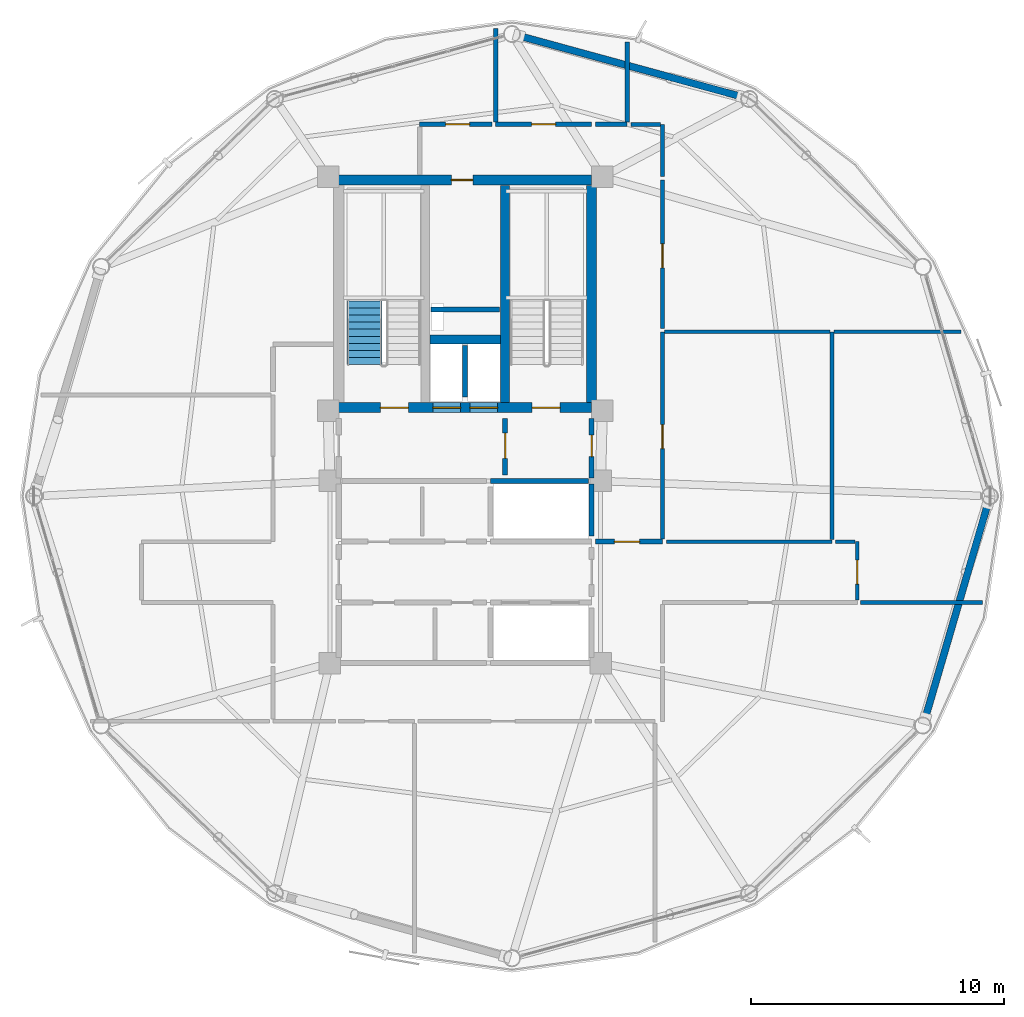
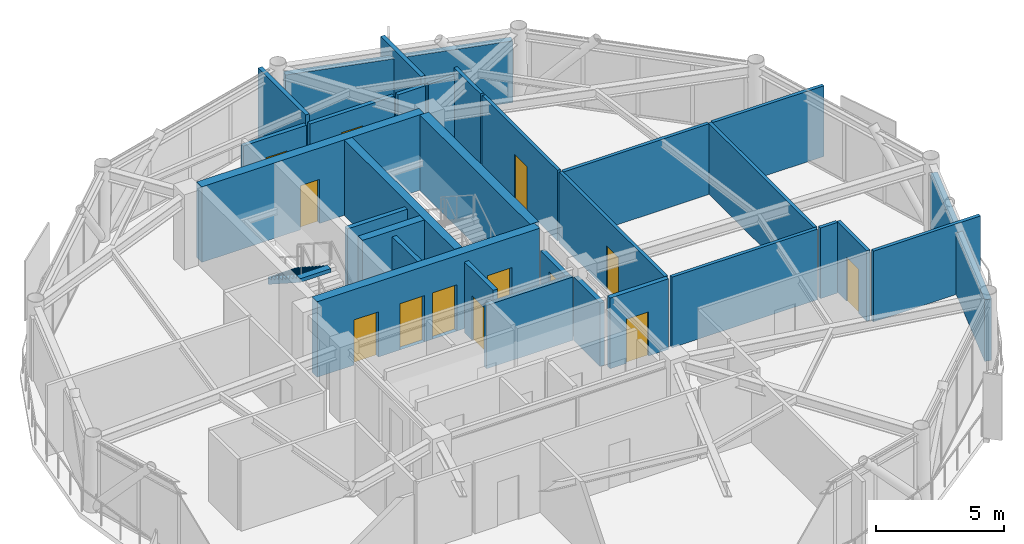
# One storey, part 24 of 28: 30 walls, 13 doors, 1 stair flight, 13 openings, 1 element without a shape of its own.
"""IFC4 building model written with IfcOpenShell, lengths in metres."""

from ifc_helpers import new_model, si_unit, direction, frame, frame_2d, origin, place, context, subcontext, project, spatial, polyline, rectangle, outline, extrude, material, layer, layer_set, type_object, element, fill, aggregate, save


model = new_model("IFC4")

# Units and contexts
model_context = context("Model", 3, precision=1e-05, world=origin(), true_north=direction((0.0, 1.0)))
body_context = subcontext(model_context, "Body", "Model", "MODEL_VIEW")
ifc_project = project(units=[si_unit("LENGTHUNIT", "METRE"), si_unit("AREAUNIT", "SQUARE_METRE"), si_unit("VOLUMEUNIT", "CUBIC_METRE"), si_unit("PLANEANGLEUNIT", "RADIAN"), si_unit("MASSUNIT", "GRAM", prefix="KILO")], contexts=[model_context])

# Site, building, storey
site_placement = place(None, origin())
site = spatial("IfcSite", under=ifc_project, at=site_placement, CompositionType="ELEMENT")
building_placement = place(site_placement, origin())
building = spatial("IfcBuilding", under=site, at=building_placement, Name="Varnakorn Sky Granary", CompositionType="ELEMENT")
storey_placement = place(building_placement, frame((0.0, 0.0, 225.60009765625)))
storey = spatial("IfcBuildingStorey", under=building, at=storey_placement, Name="L57", CompositionType="ELEMENT", Elevation=225.60009765625)

# Walls
ifc_material_1 = material(Name="Concrete C50/60", Category="concrete")
ifc_layer_1 = layer(ifc_material_1, 0.35009765625, Name="Concrete C50/60")
ifc_layer_set_1 = layer_set([ifc_layer_1], Name="Concrete C50/60")
wall_type_1 = type_object("IfcWallType", Name="WT-CW-INT-350", PredefinedType="SHEAR", material=ifc_layer_set_1)
wall_1_placement = place(storey_placement, frame((4.580078125, 3.7099609375, 0.0), z_axis=(0.0, 0.0, 1.0), x_axis=(0.0, 1.0, 0.0)))
element("IfcWall", 1, at=wall_1_placement, inside=storey, type_object=wall_type_1, Name="Stair ST-2 Core Wall L57", PredefinedType="SHEAR", context=body_context, shape_type="SweptSolid", body=[
    extrude(rectangle(XDim=8.580078125, YDim=0.35009765625, at=frame_2d((4.2900390625, 0.0))), origin(), (0.0, 0.0, 1.0), 3.591796875),
])
wall_2_placement = place(storey_placement, frame((1.610107421875, 6.199951171875, 0.0), z_axis=(0.0, 0.0, 1.0), x_axis=(1.0, 0.0, 0.0)))
element("IfcWall", 2, at=wall_2_placement, inside=storey, type_object=wall_type_1, Name="Core Lift Shaft Cross Wall L57", PredefinedType="SHEAR", context=body_context, shape_type="SweptSolid", body=[
    extrude(rectangle(XDim=2.77978515625, YDim=0.35009765625, at=frame_2d((1.389892578125, 0.0))), origin(), (0.0, 0.0, 1.0), 3.591796875),
])

# Wall, openings, doors
ifc_layer_2 = layer(ifc_material_1, 0.39990234375, Name="Concrete C50/60")
ifc_layer_set_2 = layer_set([ifc_layer_2], Name="Concrete C50/60")
wall_type_2 = type_object("IfcWallType", Name="WT-CW-SHEAR-400", PredefinedType="SHEAR", material=ifc_layer_set_2)
wall_3_placement = place(storey_placement, frame((-2.0, 3.5, 0.0), z_axis=(0.0, 0.0, 1.0), x_axis=(1.0, 0.0, 0.0)))
wall_3 = element("IfcWall", 3, at=wall_3_placement, inside=storey, type_object=wall_type_2, Name="Core South Shear Wall L57", PredefinedType="SHEAR", context=body_context, shape_type="SweptSolid", body=[
    extrude(rectangle(XDim=10.0, YDim=0.39990234375, at=frame_2d((5.0, 0.0))), origin(), (0.0, 0.0, 1.0), 3.591796875),
])
opening_1_placement = place(wall_3_placement, frame((1.64990234375, 0.0, 0.0)))
opening_1 = element("IfcOpeningElement", 4, at=opening_1_placement, cuts=wall_3, Name="Opening FD-90", PredefinedType="OPENING", context=body_context, shape_type="SweptSolid", body=[
    extrude(rectangle(XDim=1.10009765625, YDim=2.14990234375, at=frame_2d((0.550048828125, 1.074951171875))), frame((0.0, 0.2099609375, 0.0), z_axis=(0.0, -1.0, 0.0), x_axis=(1.0, 0.0, 0.0)), (0.0, 0.0, 1.0), 0.419921875),
])
opening_2_placement = place(wall_3_placement, frame((7.64990234375, 0.0, 0.0)))
opening_2 = element("IfcOpeningElement", 5, at=opening_2_placement, cuts=wall_3, Name="Opening FD-90", PredefinedType="OPENING", context=body_context, shape_type="SweptSolid", body=[
    extrude(rectangle(XDim=1.10009765625, YDim=2.14990234375, at=frame_2d((0.550048828125, 1.074951171875))), frame((0.0, 0.2099609375, 0.0), z_axis=(0.0, -1.0, 0.0), x_axis=(1.0, 0.0, 0.0)), (0.0, 0.0, 1.0), 0.419921875),
])
opening_3_placement = place(wall_3_placement, frame((3.719970703125, 0.0, 0.0)))
opening_3 = element("IfcOpeningElement", 6, at=opening_3_placement, cuts=wall_3, Name="Opening LD-01", PredefinedType="OPENING", context=body_context, shape_type="SweptSolid", body=[
    extrude(rectangle(XDim=1.10009765625, YDim=2.199951171875, at=frame_2d((0.550048828125, 1.10009765625))), frame((0.0, 0.2099609375, 0.0), z_axis=(0.0, -1.0, 0.0), x_axis=(1.0, 0.0, 0.0)), (0.0, 0.0, 1.0), 0.419921875),
])
opening_4_placement = place(wall_3_placement, frame((5.179931640625, 0.0, 0.0)))
opening_4 = element("IfcOpeningElement", 7, at=opening_4_placement, cuts=wall_3, Name="Opening LD-01", PredefinedType="OPENING", context=body_context, shape_type="SweptSolid", body=[
    extrude(rectangle(XDim=1.10009765625, YDim=2.199951171875, at=frame_2d((0.550048828125, 1.10009765625))), frame((0.0, 0.2099609375, 0.0), z_axis=(0.0, -1.0, 0.0), x_axis=(1.0, 0.0, 0.0)), (0.0, 0.0, 1.0), 0.419921875),
])
ifc_material_2 = material(Name="Brushed Bronze Stainless Steel", Category="steel")
door_type_1 = type_object("IfcDoorType", Name="DR-LD-1100", OperationType="DOUBLE_DOOR_SLIDING", PredefinedType="DOOR", material=ifc_material_2)
door_1_placement = place(opening_3_placement, origin())
door_1 = element("IfcDoor", 8, at=door_1_placement, inside=storey, type_object=door_type_1, Name="Firefighting Lift FFL-1 Landing Door L57", OperationType="DOUBLE_DOOR_SLIDING", OverallHeight=2.199951171875, OverallWidth=1.10009765625, PredefinedType="DOOR", context=body_context, shape_type="SweptSolid", body=[
    extrude(rectangle(XDim=1.10009765625, YDim=2.199951171875, at=frame_2d((0.550048828125, 1.10009765625))), frame((0.0, 0.02490234375, 0.0), z_axis=(0.0, -1.0, 0.0), x_axis=(1.0, 0.0, 0.0)), (0.0, 0.0, 1.0), 0.050048828125),
])
fill(opening_3, door_1)
door_2_placement = place(opening_4_placement, origin())
door_2 = element("IfcDoor", 9, at=door_2_placement, inside=storey, type_object=door_type_1, Name="Firefighting Lift FFL-2 Landing Door L57", OperationType="DOUBLE_DOOR_SLIDING", OverallHeight=2.199951171875, OverallWidth=1.10009765625, PredefinedType="DOOR", context=body_context, shape_type="SweptSolid", body=[
    extrude(rectangle(XDim=1.10009765625, YDim=2.199951171875, at=frame_2d((0.550048828125, 1.10009765625))), frame((0.0, 0.02490234375, 0.0), z_axis=(0.0, -1.0, 0.0), x_axis=(1.0, 0.0, 0.0)), (0.0, 0.0, 1.0), 0.050048828125),
])
fill(opening_4, door_2)
ifc_material_3 = material(Name="Galvanised Painted Steel Leaf", Category="steel")
door_type_2 = type_object("IfcDoorType", Name="DR-STAIR-1100", OperationType="NOTDEFINED", PredefinedType="DOOR", material=ifc_material_3)
door_3_placement = place(opening_1_placement, origin())
door_3 = element("IfcDoor", 10, at=door_3_placement, inside=storey, type_object=door_type_2, Name="Stair ST-1 Protected Fire Door L57", OperationType="SINGLE_SWING_LEFT", OverallHeight=2.14990234375, OverallWidth=1.10009765625, PredefinedType="DOOR", context=body_context, shape_type="SweptSolid", body=[
    extrude(rectangle(XDim=1.10009765625, YDim=2.14990234375, at=frame_2d((0.550048828125, 1.074951171875))), frame((0.0, 0.02490234375, 0.0), z_axis=(0.0, -1.0, 0.0), x_axis=(1.0, 0.0, 0.0)), (0.0, 0.0, 1.0), 0.050048828125),
])
fill(opening_1, door_3)
door_4_placement = place(opening_2_placement, origin())
door_4 = element("IfcDoor", 11, at=door_4_placement, inside=storey, type_object=door_type_2, Name="Stair ST-2 Protected Fire Door L57", OperationType="SINGLE_SWING_RIGHT", OverallHeight=2.14990234375, OverallWidth=1.10009765625, PredefinedType="DOOR", context=body_context, shape_type="SweptSolid", body=[
    extrude(rectangle(XDim=1.10009765625, YDim=2.14990234375, at=frame_2d((0.550048828125, 1.074951171875))), frame((0.0, 0.02490234375, 0.0), z_axis=(0.0, -1.0, 0.0), x_axis=(1.0, 0.0, 0.0)), (0.0, 0.0, 1.0), 0.050048828125),
])
fill(opening_2, door_4)

# Wall, opening, door
wall_4_placement = place(storey_placement, frame((-2.0, 12.5, 0.0), z_axis=(0.0, 0.0, 1.0), x_axis=(1.0, 0.0, 0.0)))
wall_4 = element("IfcWall", 12, at=wall_4_placement, inside=storey, type_object=wall_type_2, Name="Core North Shear Wall L57", PredefinedType="SHEAR", context=body_context, shape_type="SweptSolid", body=[
    extrude(rectangle(XDim=10.0, YDim=0.39990234375, at=frame_2d((5.0, 0.0))), origin(), (0.0, 0.0, 1.0), 3.591796875),
])
opening_5_placement = place(wall_4_placement, frame((4.449951171875, 0.0, 0.0)))
opening_5 = element("IfcOpeningElement", 13, at=opening_5_placement, cuts=wall_4, Name="Opening FD-60N", PredefinedType="OPENING", context=body_context, shape_type="SweptSolid", body=[
    extrude(rectangle(XDim=0.85009765625, YDim=2.10009765625, at=frame_2d((0.425048828125, 1.050048828125))), frame((0.0, 0.2099609375, 0.0), z_axis=(0.0, -1.0, 0.0), x_axis=(1.0, 0.0, 0.0)), (0.0, 0.0, 1.0), 0.419921875),
])
ifc_material_4 = material(Name="Acoustic Timber Fire Leaf", Category="wood")
door_type_3 = type_object("IfcDoorType", Name="DR-FD60-850", OperationType="NOTDEFINED", PredefinedType="DOOR", material=ifc_material_4)
door_5_placement = place(opening_5_placement, origin())
door_5 = element("IfcDoor", 14, at=door_5_placement, inside=storey, type_object=door_type_3, Name="Core North Service Door L57", OperationType="SINGLE_SWING_LEFT", OverallHeight=2.10009765625, OverallWidth=0.85009765625, PredefinedType="DOOR", context=body_context, shape_type="SweptSolid", body=[
    extrude(rectangle(XDim=0.85009765625, YDim=2.10009765625, at=frame_2d((0.425048828125, 1.050048828125))), frame((0.0, 0.02490234375, 0.0), z_axis=(0.0, -1.0, 0.0), x_axis=(1.0, 0.0, 0.0)), (0.0, 0.0, 1.0), 0.050048828125),
])
fill(opening_5, door_5)

# Walls
wall_5_placement = place(storey_placement, frame((8.0, 3.7099609375, 0.0), z_axis=(0.0, 0.0, 1.0), x_axis=(0.0, 1.0, 0.0)))
element("IfcWall", 15, at=wall_5_placement, inside=storey, type_object=wall_type_2, Name="Core East Shear Wall L57", PredefinedType="SHEAR", context=body_context, shape_type="SweptSolid", body=[
    extrude(rectangle(XDim=8.580078125, YDim=0.39990234375, at=frame_2d((4.2900390625, 0.0))), origin(), (0.0, 0.0, 1.0), 3.591796875),
])
ifc_material_5 = material(Name="Precast concrete C40/50", Category="concrete")
ifc_layer_3 = layer(ifc_material_5, 0.280029296875, Name="Precast concrete C40/50")
ifc_layer_set_3 = layer_set([ifc_layer_3], Name="Precast concrete C40/50")
wall_type_3 = type_object("IfcWallType", Name="WT-EW-CRN-280", PredefinedType="SOLIDWALL", material=ifc_layer_set_3)
wall_6_placement = place(storey_placement, frame((5.125, 18.20068359375, 0.0), z_axis=(0.0, 0.0, 1.0), x_axis=(0.96460676677, -0.263692596598, 0.0)))
element("IfcWall", 16, at=wall_6_placement, inside=storey, type_object=wall_type_3, Name="Agritech Insulated Precast Facade Wall L57-P03", PredefinedType="SOLIDWALL", context=body_context, shape_type="SweptSolid", body=[
    extrude(rectangle(XDim=9.15771484375, YDim=0.280029296875, at=frame_2d((4.578857421875, 0.0))), origin(), (0.0, 0.0, 1.0), 2.929931640625),
])
wall_7_placement = place(storey_placement, frame((23.672119140625, -0.273681640625, 0.0), z_axis=(0.0, 0.0, 1.0), x_axis=(-0.280370573109, -0.95989183856, 0.0)))
element("IfcWall", 17, at=wall_7_placement, inside=storey, type_object=wall_type_3, Name="Agritech Insulated Precast Facade Wall L57-P12", PredefinedType="SOLIDWALL", context=body_context, shape_type="SweptSolid", body=[
    extrude(rectangle(XDim=8.87939453125, YDim=0.280029296875, at=frame_2d((4.439697265625, 0.0))), origin(), (0.0, 0.0, 1.0), 2.929931640625),
])

# Wall, opening, door
ifc_material_6 = material(Name="Autoclaved Aerated Concrete Blockwork", Category="masonry")
ifc_layer_4 = layer(ifc_material_6, 0.199951171875, Name="Autoclaved Aerated Concrete Blockwork")
ifc_layer_set_4 = layer_set([ifc_layer_4], Name="Autoclaved Aerated Concrete Blockwork")
wall_type_4 = type_object("IfcWallType", Name="WT-FIRE-200", PredefinedType="MOVABLE", material=ifc_layer_set_4)
wall_8_placement = place(storey_placement, frame((4.580078125, 0.830078125, 0.0), z_axis=(0.0, 0.0, 1.0), x_axis=(0.0, 1.0, 0.0)))
wall_8 = element("IfcWall", 18, at=wall_8_placement, inside=storey, type_object=wall_type_4, Name="Interior Partition Wall L57-011", PredefinedType="MOVABLE", context=body_context, shape_type="SweptSolid", body=[
    extrude(rectangle(XDim=2.239990234375, YDim=0.199951171875, at=frame_2d((1.1201171875, 0.0))), origin(), (0.0, 0.0, 1.0), 3.35986328125),
])
opening_6_placement = place(wall_8_placement, frame((0.659912109375, 0.0, 0.0)))
opening_6 = element("IfcOpeningElement", 19, at=opening_6_placement, cuts=wall_8, Name="Opening FD-60", PredefinedType="OPENING", context=body_context, shape_type="SweptSolid", body=[
    extrude(rectangle(XDim=1.0, YDim=2.10009765625, at=frame_2d((0.5, 1.050048828125))), frame((0.0, 0.10986328125, 0.0), z_axis=(0.0, -1.0, 0.0), x_axis=(1.0, 0.0, 0.0)), (0.0, 0.0, 1.0), 0.219970703125),
])
door_type_4 = type_object("IfcDoorType", Name="DR-FD60-1000", OperationType="NOTDEFINED", PredefinedType="DOOR", material=ifc_material_4)
door_6_placement = place(opening_6_placement, origin())
door_6 = element("IfcDoor", 20, at=door_6_placement, inside=storey, type_object=door_type_4, Name="Interior Door L57-011-1", OperationType="SINGLE_SWING_RIGHT", OverallHeight=2.10009765625, OverallWidth=1.0, PredefinedType="DOOR", context=body_context, shape_type="SweptSolid", body=[
    extrude(rectangle(XDim=1.0, YDim=2.10009765625, at=frame_2d((0.5, 1.050048828125))), frame((0.0, 0.02490234375, 0.0), z_axis=(0.0, -1.0, 0.0), x_axis=(1.0, 0.0, 0.0)), (0.0, 0.0, 1.0), 0.050048828125),
])
fill(opening_6, door_6)

wall_9_placement = place(storey_placement, frame((8.0, 0.719970703125, 0.0), z_axis=(0.0, 0.0, 1.0), x_axis=(0.0, 1.0, 0.0)))
wall_9 = element("IfcWall", 21, at=wall_9_placement, inside=storey, type_object=wall_type_4, Name="Interior Partition Wall L57-013", PredefinedType="MOVABLE", context=body_context, shape_type="SweptSolid", body=[
    extrude(rectangle(XDim=2.35009765625, YDim=0.199951171875, at=frame_2d((1.175048828125, 0.0))), origin(), (0.0, 0.0, 1.0), 2.69189453125),
])
opening_7_placement = place(wall_9_placement, frame((0.844970703125, 0.0, 0.0)))
opening_7 = element("IfcOpeningElement", 22, at=opening_7_placement, cuts=wall_9, Name="Opening FD-60N", PredefinedType="OPENING", context=body_context, shape_type="SweptSolid", body=[
    extrude(rectangle(XDim=0.85009765625, YDim=2.10009765625, at=frame_2d((0.425048828125, 1.050048828125))), frame((0.0, 0.10986328125, 0.0), z_axis=(0.0, -1.0, 0.0), x_axis=(1.0, 0.0, 0.0)), (0.0, 0.0, 1.0), 0.219970703125),
])
door_7_placement = place(opening_7_placement, origin())
door_7 = element("IfcDoor", 23, at=door_7_placement, inside=storey, type_object=door_type_3, Name="Interior Door L57-013-1", OperationType="SINGLE_SWING_RIGHT", OverallHeight=2.10009765625, OverallWidth=0.85009765625, PredefinedType="DOOR", context=body_context, shape_type="SweptSolid", body=[
    extrude(rectangle(XDim=0.85009765625, YDim=2.10009765625, at=frame_2d((0.425048828125, 1.050048828125))), frame((0.0, 0.02490234375, 0.0), z_axis=(0.0, -1.0, 0.0), x_axis=(1.0, 0.0, 0.0)), (0.0, 0.0, 1.0), 0.050048828125),
])
fill(opening_7, door_7)

wall_10_placement = place(storey_placement, frame((8.159912109375, -1.800048828125, 0.0), z_axis=(0.0, 0.0, 1.0), x_axis=(1.0, 0.0, 0.0)))
wall_10 = element("IfcWall", 24, at=wall_10_placement, inside=storey, type_object=wall_type_4, Name="Interior Partition Wall L57-018", PredefinedType="MOVABLE", context=body_context, shape_type="SweptSolid", body=[
    extrude(rectangle(XDim=2.64013671875, YDim=0.199951171875, at=frame_2d((1.320068359375, 0.0))), origin(), (0.0, 0.0, 1.0), 3.35986328125),
])
opening_8_placement = place(wall_10_placement, frame((0.739990234375, 0.0, 0.0)))
opening_8 = element("IfcOpeningElement", 25, at=opening_8_placement, cuts=wall_10, Name="Opening FD-60", PredefinedType="OPENING", context=body_context, shape_type="SweptSolid", body=[
    extrude(rectangle(XDim=1.0, YDim=2.10009765625, at=frame_2d((0.5, 1.050048828125))), frame((0.0, 0.10986328125, 0.0), z_axis=(0.0, -1.0, 0.0), x_axis=(1.0, 0.0, 0.0)), (0.0, 0.0, 1.0), 0.219970703125),
])
door_8_placement = place(opening_8_placement, origin())
door_8 = element("IfcDoor", 26, at=door_8_placement, inside=storey, type_object=door_type_4, Name="Interior Door L57-018-1", OperationType="SINGLE_SWING_LEFT", OverallHeight=2.10009765625, OverallWidth=1.0, PredefinedType="DOOR", context=body_context, shape_type="SweptSolid", body=[
    extrude(rectangle(XDim=1.0, YDim=2.10009765625, at=frame_2d((0.5, 1.050048828125))), frame((0.0, 0.02490234375, 0.0), z_axis=(0.0, -1.0, 0.0), x_axis=(1.0, 0.0, 0.0)), (0.0, 0.0, 1.0), 0.050048828125),
])
fill(opening_8, door_8)

ifc_material_7 = material(Name="Gypsum Plasterboard on Steel Stud", Category="steel")
ifc_layer_5 = layer(ifc_material_7, 0.14990234375, Name="Gypsum Plasterboard on Steel Stud")
ifc_layer_set_5 = layer_set([ifc_layer_5], Name="Gypsum Plasterboard on Steel Stud")
wall_type_5 = type_object("IfcWallType", Name="WT-PART-150", PredefinedType="PARTITIONING", material=ifc_layer_set_5)
wall_11_placement = place(storey_placement, frame((10.800048828125, -1.68994140625, 0.0), z_axis=(0.0, 0.0, 1.0), x_axis=(0.0, 1.0, 0.0)))
wall_11 = element("IfcWall", 27, at=wall_11_placement, inside=storey, type_object=wall_type_5, Name="Interior Partition Wall L57-025", PredefinedType="PARTITIONING", context=body_context, shape_type="SweptSolid", body=[
    extrude(rectangle(XDim=8.18994140625, YDim=0.14990234375, at=frame_2d((4.094970703125, 0.0))), origin(), (0.0, 0.0, 1.0), 3.35986328125),
])
opening_9_placement = place(wall_11_placement, frame((3.56494140625, 0.0, 0.0)))
opening_9 = element("IfcOpeningElement", 28, at=opening_9_placement, cuts=wall_11, Name="Opening ID-95", PredefinedType="OPENING", context=body_context, shape_type="SweptSolid", body=[
    extrude(rectangle(XDim=0.949951171875, YDim=2.10009765625, at=frame_2d((0.47509765625, 1.050048828125))), frame((0.0, 0.0849609375, 0.0), z_axis=(0.0, -1.0, 0.0), x_axis=(1.0, 0.0, 0.0)), (0.0, 0.0, 1.0), 0.169921875),
])
ifc_material_8 = material(Name="Solid-Core Teak Veneer Leaf", Category="timber")
door_type_5 = type_object("IfcDoorType", Name="DR-INT-950", OperationType="NOTDEFINED", PredefinedType="DOOR", material=ifc_material_8)
door_9_placement = place(opening_9_placement, origin())
door_9 = element("IfcDoor", 29, at=door_9_placement, inside=storey, type_object=door_type_5, Name="Interior Door L57-025-1", OperationType="SINGLE_SWING_RIGHT", OverallHeight=2.10009765625, OverallWidth=0.949951171875, PredefinedType="DOOR", context=body_context, shape_type="SweptSolid", body=[
    extrude(rectangle(XDim=0.949951171875, YDim=2.10009765625, at=frame_2d((0.47509765625, 1.050048828125))), frame((0.0, 0.02490234375, 0.0), z_axis=(0.0, -1.0, 0.0), x_axis=(1.0, 0.0, 0.0)), (0.0, 0.0, 1.0), 0.050048828125),
])
fill(opening_9, door_9)

wall_12_placement = place(storey_placement, frame((18.5, -4.114990234375, 0.0), z_axis=(0.0, 0.0, 1.0), x_axis=(0.0, 1.0, 0.0)))
wall_12 = element("IfcWall", 30, at=wall_12_placement, inside=storey, type_object=wall_type_5, Name="Interior Partition Wall L57-026", PredefinedType="PARTITIONING", context=body_context, shape_type="SweptSolid", body=[
    extrude(rectangle(XDim=2.31494140625, YDim=0.14990234375, at=frame_2d((1.157470703125, 0.0))), origin(), (0.0, 0.0, 1.0), 3.35986328125),
])
opening_10_placement = place(wall_12_placement, frame((0.639892578125, 0.0, 0.0)))
opening_10 = element("IfcOpeningElement", 31, at=opening_10_placement, cuts=wall_12, Name="Opening ID-95", PredefinedType="OPENING", context=body_context, shape_type="SweptSolid", body=[
    extrude(rectangle(XDim=0.949951171875, YDim=2.10009765625, at=frame_2d((0.47509765625, 1.050048828125))), frame((0.0, 0.0849609375, 0.0), z_axis=(0.0, -1.0, 0.0), x_axis=(1.0, 0.0, 0.0)), (0.0, 0.0, 1.0), 0.169921875),
])
door_10_placement = place(opening_10_placement, origin())
door_10 = element("IfcDoor", 32, at=door_10_placement, inside=storey, type_object=door_type_5, Name="Interior Door L57-026-1", OperationType="SINGLE_SWING_LEFT", OverallHeight=2.10009765625, OverallWidth=0.949951171875, PredefinedType="DOOR", context=body_context, shape_type="SweptSolid", body=[
    extrude(rectangle(XDim=0.949951171875, YDim=2.10009765625, at=frame_2d((0.47509765625, 1.050048828125))), frame((0.0, 0.02490234375, 0.0), z_axis=(0.0, -1.0, 0.0), x_axis=(1.0, 0.0, 0.0)), (0.0, 0.0, 1.0), 0.050048828125),
])
fill(opening_10, door_10)

wall_13_placement = place(storey_placement, frame((10.800048828125, 6.635009765625, 0.0), z_axis=(0.0, 0.0, 1.0), x_axis=(0.0, 1.0, 0.0)))
wall_13 = element("IfcWall", 33, at=wall_13_placement, inside=storey, type_object=wall_type_5, Name="Interior Partition Wall L57-027", PredefinedType="PARTITIONING", context=body_context, shape_type="SweptSolid", body=[
    extrude(rectangle(XDim=5.864990234375, YDim=0.14990234375, at=frame_2d((2.9326171875, 0.0))), origin(), (0.0, 0.0, 1.0), 3.35986328125),
])
opening_11_placement = place(wall_13_placement, frame((2.389892578125, 0.0, 0.0)))
opening_11 = element("IfcOpeningElement", 34, at=opening_11_placement, cuts=wall_13, Name="Opening ID-95", PredefinedType="OPENING", context=body_context, shape_type="SweptSolid", body=[
    extrude(rectangle(XDim=0.949951171875, YDim=2.10009765625, at=frame_2d((0.47509765625, 1.050048828125))), frame((0.0, 0.0849609375, 0.0), z_axis=(0.0, -1.0, 0.0), x_axis=(1.0, 0.0, 0.0)), (0.0, 0.0, 1.0), 0.169921875),
])
door_11_placement = place(opening_11_placement, origin())
door_11 = element("IfcDoor", 35, at=door_11_placement, inside=storey, type_object=door_type_5, Name="Interior Door L57-027-1", OperationType="SINGLE_SWING_RIGHT", OverallHeight=2.10009765625, OverallWidth=0.949951171875, PredefinedType="DOOR", context=body_context, shape_type="SweptSolid", body=[
    extrude(rectangle(XDim=0.949951171875, YDim=2.10009765625, at=frame_2d((0.47509765625, 1.050048828125))), frame((0.0, 0.02490234375, 0.0), z_axis=(0.0, -1.0, 0.0), x_axis=(1.0, 0.0, 0.0)), (0.0, 0.0, 1.0), 0.050048828125),
])
fill(opening_11, door_11)

# Walls
wall_14_placement = place(storey_placement, frame((18.635009765625, -4.199951171875, 0.0), z_axis=(0.0, 0.0, 1.0), x_axis=(1.0, 0.0, 0.0)))
element("IfcWall", 36, at=wall_14_placement, inside=storey, type_object=wall_type_5, Name="Interior Partition Wall L57-042", PredefinedType="PARTITIONING", context=body_context, shape_type="SweptSolid", body=[
    extrude(rectangle(XDim=4.81591796875, YDim=0.14990234375, at=frame_2d((2.407958984375, 0.0))), origin(), (0.0, 0.0, 1.0), 3.35986328125),
])
wall_15_placement = place(storey_placement, frame((17.5, -1.800048828125, 0.0), z_axis=(0.0, 0.0, 1.0), x_axis=(-1.0, 0.0, 0.0)))
element("IfcWall", 37, at=wall_15_placement, inside=storey, type_object=wall_type_5, Name="Interior Partition Wall L57-053", PredefinedType="PARTITIONING", context=body_context, shape_type="SweptSolid", body=[
    extrude(rectangle(XDim=6.5400390625, YDim=0.14990234375, at=frame_2d((3.27001953125, 0.0))), origin(), (0.0, 0.0, 1.0), 3.35986328125),
])
wall_16_placement = place(storey_placement, frame((17.5, 6.5, 0.0), z_axis=(0.0, 0.0, 1.0), x_axis=(0.0, -1.0, 0.0)))
element("IfcWall", 38, at=wall_16_placement, inside=storey, type_object=wall_type_5, Name="Interior Partition Wall L57-054", PredefinedType="PARTITIONING", context=body_context, shape_type="SweptSolid", body=[
    extrude(rectangle(XDim=8.215087890625, YDim=0.14990234375, at=frame_2d((4.107421875, 0.0))), origin(), (0.0, 0.0, 1.0), 3.35986328125),
])
wall_17_placement = place(storey_placement, frame((10.885009765625, 6.5, 0.0), z_axis=(0.0, 0.0, 1.0), x_axis=(1.0, 0.0, 0.0)))
element("IfcWall", 39, at=wall_17_placement, inside=storey, type_object=wall_type_5, Name="Interior Partition Wall L57-055", PredefinedType="PARTITIONING", context=body_context, shape_type="SweptSolid", body=[
    extrude(rectangle(XDim=6.530029296875, YDim=0.14990234375, at=frame_2d((3.26513671875, 0.0))), origin(), (0.0, 0.0, 1.0), 3.35986328125),
])
wall_18_placement = place(storey_placement, frame((18.4150390625, -1.800048828125, 0.0), z_axis=(0.0, 0.0, 1.0), x_axis=(-1.0, 0.0, 0.0)))
element("IfcWall", 40, at=wall_18_placement, inside=storey, type_object=wall_type_5, Name="Interior Partition Wall L57-056", PredefinedType="PARTITIONING", context=body_context, shape_type="SweptSolid", body=[
    extrude(rectangle(XDim=0.780029296875, YDim=0.14990234375, at=frame_2d((0.39013671875, 0.0))), origin(), (0.0, 0.0, 1.0), 3.35986328125),
])
wall_19_placement = place(storey_placement, frame((17.5849609375, 6.5, 0.0), z_axis=(0.0, 0.0, 1.0), x_axis=(1.0, 0.0, 0.0)))
element("IfcWall", 41, at=wall_19_placement, inside=storey, type_object=wall_type_5, Name="Interior Partition Wall L57-057", PredefinedType="PARTITIONING", context=body_context, shape_type="SweptSolid", body=[
    extrude(rectangle(XDim=5.012939453125, YDim=0.14990234375, at=frame_2d((2.50634765625, 0.0))), origin(), (0.0, 0.0, 1.0), 3.35986328125),
])
wall_20_placement = place(storey_placement, frame((10.800048828125, 12.635009765625, 0.0), z_axis=(0.0, 0.0, 1.0), x_axis=(0.0, 1.0, 0.0)))
element("IfcWall", 42, at=wall_20_placement, inside=storey, type_object=wall_type_5, Name="Interior Partition Wall L57-058", PredefinedType="PARTITIONING", context=body_context, shape_type="SweptSolid", body=[
    extrude(rectangle(XDim=2.06494140625, YDim=0.14990234375, at=frame_2d((1.032470703125, 0.0))), origin(), (0.0, 0.0, 1.0), 3.35986328125),
])
wall_21_placement = place(storey_placement, frame((10.715087890625, 14.699951171875, 0.0), z_axis=(0.0, 0.0, 1.0), x_axis=(-1.0, 0.0, 0.0)))
element("IfcWall", 43, at=wall_21_placement, inside=storey, type_object=wall_type_5, Name="Interior Partition Wall L57-059", PredefinedType="PARTITIONING", context=body_context, shape_type="SweptSolid", body=[
    extrude(rectangle(XDim=1.1650390625, YDim=0.14990234375, at=frame_2d((0.58251953125, 0.0))), origin(), (0.0, 0.0, 1.0), 3.011962890625),
])

# Wall, opening, door
ifc_material_9 = material(Name="Moisture-Resistant Gypsum on Stud", Category="gypsum")
ifc_layer_6 = layer(ifc_material_9, 0.179931640625, Name="Moisture-Resistant Gypsum on Stud")
ifc_layer_set_6 = layer_set([ifc_layer_6], Name="Moisture-Resistant Gypsum on Stud")
wall_type_6 = type_object("IfcWallType", Name="WT-PLUMB-180", PredefinedType="PLUMBINGWALL", material=ifc_layer_set_6)
wall_22_placement = place(storey_placement, frame((8.0, 14.699951171875, 0.0), z_axis=(0.0, 0.0, 1.0), x_axis=(-1.0, 0.0, 0.0)))
wall_22 = element("IfcWall", 44, at=wall_22_placement, inside=storey, type_object=wall_type_6, Name="Interior Partition Wall L57-019", PredefinedType="PLUMBINGWALL", context=body_context, shape_type="SweptSolid", body=[
    extrude(rectangle(XDim=3.800048828125, YDim=0.179931640625, at=frame_2d((1.89990234375, 0.0))), origin(), (0.0, 0.0, 1.0), 3.011962890625),
])
opening_12_placement = place(wall_22_placement, frame((1.425048828125, 0.0, 0.0)))
opening_12 = element("IfcOpeningElement", 45, at=opening_12_placement, cuts=wall_22, Name="Opening ID-95", PredefinedType="OPENING", context=body_context, shape_type="SweptSolid", body=[
    extrude(rectangle(XDim=0.949951171875, YDim=2.10009765625, at=frame_2d((0.47509765625, 1.050048828125))), frame((0.0, 0.10009765625, 0.0), z_axis=(0.0, -1.0, 0.0), x_axis=(1.0, 0.0, 0.0)), (0.0, 0.0, 1.0), 0.199951171875),
])
door_12_placement = place(opening_12_placement, origin())
door_12 = element("IfcDoor", 46, at=door_12_placement, inside=storey, type_object=door_type_5, Name="Interior Door L57-019-1", OperationType="SINGLE_SWING_RIGHT", OverallHeight=2.10009765625, OverallWidth=0.949951171875, PredefinedType="DOOR", context=body_context, shape_type="SweptSolid", body=[
    extrude(rectangle(XDim=0.949951171875, YDim=2.10009765625, at=frame_2d((0.47509765625, 1.050048828125))), frame((0.0, 0.02490234375, 0.0), z_axis=(0.0, -1.0, 0.0), x_axis=(1.0, 0.0, 0.0)), (0.0, 0.0, 1.0), 0.050048828125),
])
fill(opening_12, door_12)

wall_23_placement = place(storey_placement, frame((4.050048828125, 14.699951171875, 0.0), z_axis=(0.0, 0.0, 1.0), x_axis=(-1.0, 0.0, 0.0)))
wall_23 = element("IfcWall", 47, at=wall_23_placement, inside=storey, type_object=wall_type_6, Name="Interior Partition Wall L57-024", PredefinedType="PLUMBINGWALL", context=body_context, shape_type="SweptSolid", body=[
    extrude(rectangle(XDim=2.85009765625, YDim=0.179931640625, at=frame_2d((1.425048828125, 0.0))), origin(), (0.0, 0.0, 1.0), 3.011962890625),
])
opening_13_placement = place(wall_23_placement, frame((0.875, 0.0, 0.0)))
opening_13 = element("IfcOpeningElement", 48, at=opening_13_placement, cuts=wall_23, Name="Opening ID-95", PredefinedType="OPENING", context=body_context, shape_type="SweptSolid", body=[
    extrude(rectangle(XDim=0.949951171875, YDim=2.10009765625, at=frame_2d((0.47509765625, 1.050048828125))), frame((0.0, 0.10009765625, 0.0), z_axis=(0.0, -1.0, 0.0), x_axis=(1.0, 0.0, 0.0)), (0.0, 0.0, 1.0), 0.199951171875),
])
door_13_placement = place(opening_13_placement, origin())
door_13 = element("IfcDoor", 49, at=door_13_placement, inside=storey, type_object=door_type_5, Name="Interior Door L57-024-1", OperationType="SINGLE_SWING_LEFT", OverallHeight=2.10009765625, OverallWidth=0.949951171875, PredefinedType="DOOR", context=body_context, shape_type="SweptSolid", body=[
    extrude(rectangle(XDim=0.949951171875, YDim=2.10009765625, at=frame_2d((0.47509765625, 1.050048828125))), frame((0.0, 0.02490234375, 0.0), z_axis=(0.0, -1.0, 0.0), x_axis=(1.0, 0.0, 0.0)), (0.0, 0.0, 1.0), 0.050048828125),
])
fill(opening_13, door_13)

# Walls
wall_24_placement = place(storey_placement, frame((9.39990234375, 14.699951171875, 0.0), z_axis=(0.0, 0.0, 1.0), x_axis=(-1.0, 0.0, 0.0)))
element("IfcWall", 50, at=wall_24_placement, inside=storey, type_object=wall_type_6, Name="Interior Partition Wall L57-034", PredefinedType="PLUMBINGWALL", context=body_context, shape_type="SweptSolid", body=[
    extrude(rectangle(XDim=1.25, YDim=0.179931640625, at=frame_2d((0.625, 0.0))), origin(), (0.0, 0.0, 1.0), 3.011962890625),
])
wall_25_placement = place(storey_placement, frame((4.199951171875, 18.4970703125, 0.0), z_axis=(0.0, 0.0, 1.0), x_axis=(0.0, -1.0, 0.0)))
element("IfcWall", 51, at=wall_25_placement, inside=storey, type_object=wall_type_6, Name="Interior Partition Wall L57-052", PredefinedType="PLUMBINGWALL", context=body_context, shape_type="SweptSolid", body=[
    extrude(rectangle(XDim=3.697021484375, YDim=0.179931640625, at=frame_2d((1.8486328125, 0.0))), origin(), (0.0, 0.0, 1.0), 3.35986328125),
])
wall_26_placement = place(storey_placement, frame((9.39990234375, 14.800048828125, 0.0), z_axis=(0.0, 0.0, 1.0), x_axis=(0.0, 1.0, 0.0)))
element("IfcWall", 52, at=wall_26_placement, inside=storey, type_object=wall_type_6, Name="Interior Partition Wall L57-060", PredefinedType="PLUMBINGWALL", context=body_context, shape_type="SweptSolid", body=[
    extrude(rectangle(XDim=3.1650390625, YDim=0.179931640625, at=frame_2d((1.58251953125, 0.0))), origin(), (0.0, 0.0, 1.0), 3.35986328125),
])
ifc_layer_7 = layer(ifc_material_6, 0.199951171875, Name="Autoclaved Aerated Concrete Blockwork")
ifc_layer_set_7 = layer_set([ifc_layer_7], Name="Autoclaved Aerated Concrete Blockwork")
wall_type_7 = type_object("IfcWallType", Name="WT-SHAFT-200", PredefinedType="SOLIDWALL", material=ifc_layer_set_7)
wall_27_placement = place(storey_placement, frame((3.0, 3.919921875, 0.0), z_axis=(0.0, 0.0, 1.0), x_axis=(0.0, 1.0, 0.0)))
element("IfcWall", 53, at=wall_27_placement, inside=storey, type_object=wall_type_7, Name="Interior Partition Wall L57-001", PredefinedType="SOLIDWALL", context=body_context, shape_type="SweptSolid", body=[
    extrude(rectangle(XDim=2.030029296875, YDim=0.199951171875, at=frame_2d((1.01513671875, 0.0))), origin(), (0.0, 0.0, 1.0), 3.35986328125),
])
wall_28_placement = place(storey_placement, frame((1.64990234375, 7.3798828125, 0.0), z_axis=(0.0, 0.0, 1.0), x_axis=(1.0, 0.0, 0.0)))
element("IfcWall", 54, at=wall_28_placement, inside=storey, type_object=wall_type_7, Name="Interior Partition Wall L57-002", PredefinedType="SOLIDWALL", context=body_context, shape_type="SweptSolid", body=[
    extrude(rectangle(XDim=2.7001953125, YDim=0.199951171875, at=frame_2d((1.35009765625, 0.0))), origin(), (0.0, 0.0, 1.0), 3.35986328125),
])
wall_29_placement = place(storey_placement, frame((4.0, 0.60009765625, 0.0), z_axis=(0.0, 0.0, 1.0), x_axis=(1.0, 0.0, 0.0)))
element("IfcWall", 55, at=wall_29_placement, inside=storey, type_object=wall_type_7, Name="Interior Partition Wall L57-003", PredefinedType="SOLIDWALL", context=body_context, shape_type="SweptSolid", body=[
    extrude(rectangle(XDim=3.8798828125, YDim=0.199951171875, at=frame_2d((1.93994140625, 0.0))), origin(), (0.0, 0.0, 1.0), 3.011962890625),
])
wall_30_placement = place(storey_placement, frame((8.0, -1.570068359375, 0.0), z_axis=(0.0, 0.0, 1.0), x_axis=(0.0, 1.0, 0.0)))
element("IfcWall", 56, at=wall_30_placement, inside=storey, type_object=wall_type_7, Name="Interior Partition Wall L57-006", PredefinedType="SOLIDWALL", context=body_context, shape_type="SweptSolid", body=[
    extrude(rectangle(XDim=2.050048828125, YDim=0.199951171875, at=frame_2d((1.02490234375, 0.0))), origin(), (0.0, 0.0, 1.0), 3.011962890625),
])

# Stair, stair flight
ifc_material_10 = material(Name="Concrete C40/50", Category="concrete")
stair_type = type_object("IfcStairType", Name="ST-MAIN-ASSEMBLY", PredefinedType="HALF_TURN_STAIR", material=ifc_material_10)
stair_placement = place(storey_placement, origin())
stair = element("IfcStair", 57, at=stair_placement, inside=storey, type_object=stair_type, Name="L57 Protected Exit Stair ST-1", PredefinedType="HALF_TURN_STAIR")
stair_flight_type = type_object("IfcStairFlightType", Name="ST-MAIN-FLIGHT", PredefinedType="STRAIGHT", material=ifc_material_10)
stair_flight_placement = place(storey_placement, frame((-0.97998046875, 7.719970703125, 1.7998046875), z_axis=(0.0, 0.0, 1.0), x_axis=(0.0, -1.0, 0.0)))
stair_flight = element("IfcStairFlight", 58, at=stair_flight_placement, type_object=stair_flight_type, Name="ST-1 flight 2", NumberOfRisers=10, NumberOfTreads=9, PredefinedType="STRAIGHT", RiserHeight=0.18, TreadLength=0.28, context=body_context, shape_type="SweptSolid", body=[
    extrude(outline(polyline([(0.0, -0.14990234375), (0.0, 0.0), (0.0, 0.179931640625), (0.280029296875, 0.179931640625), (0.280029296875, 0.360107421875), (0.56005859375, 0.360107421875), (0.56005859375, 0.5400390625), (0.840087890625, 0.5400390625), (0.840087890625, 0.719970703125), (1.1201171875, 0.719970703125), (1.1201171875, 0.89990234375), (1.39990234375, 0.89990234375), (1.39990234375, 1.080078125), (1.679931640625, 1.080078125), (1.679931640625, 1.260009765625), (1.9599609375, 1.260009765625), (1.9599609375, 1.43994140625), (2.239990234375, 1.43994140625), (2.239990234375, 1.6201171875), (2.52001953125, 1.6201171875), (2.52001953125, 1.800048828125), (2.52001953125, 1.44189453125), (0.050048828125, -0.14990234375), (0.0, -0.14990234375)])), frame((0.0, 0.68994140625, 0.0), z_axis=(0.0, -1.0, 0.0), x_axis=(1.0, 0.0, 0.0)), (0.0, 0.0, 1.0), 1.3798828125),
])
aggregate(stair, [stair_flight])

save(model, "model.ifc")
